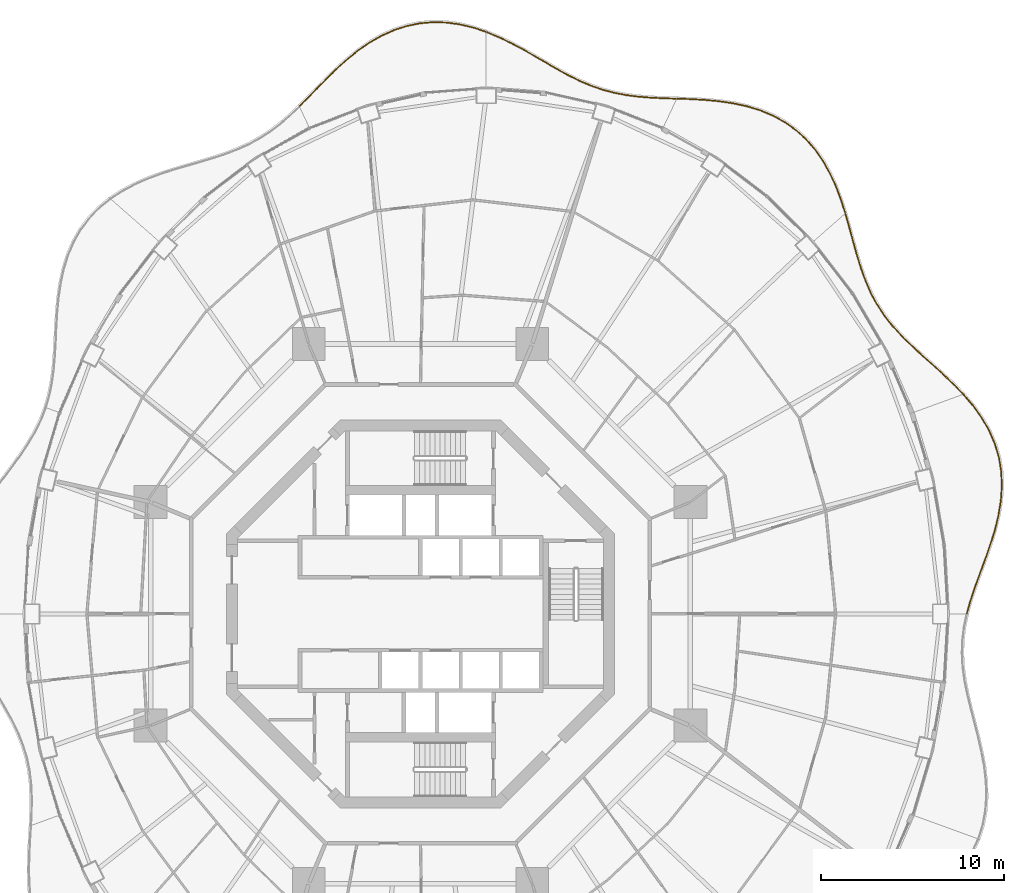
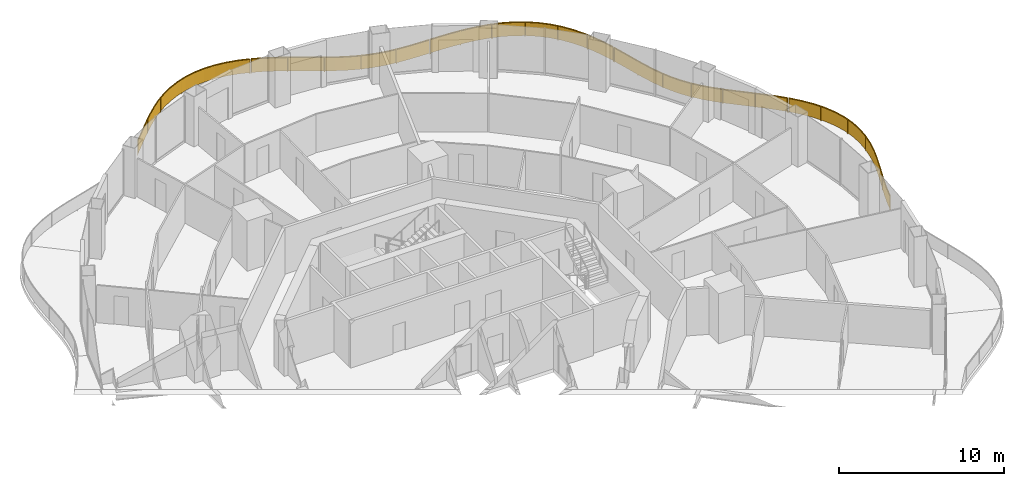
# One storey, part 19 of 19: 5 railings.
"""IFC4 building model written with IfcOpenShell, lengths in metres."""

from ifc_helpers import new_model, si_unit, direction, frame, origin, origin_2d, place, context, subcontext, project, spatial, polyline, rectangle, outline, extrude, material, type_object, element, save


model = new_model("IFC4")

# Units and contexts
model_context = context("Model", 3, precision=1e-05, world=origin(), true_north=direction((0.0, 1.0)))
body_context = subcontext(model_context, "Body", "Model", "MODEL_VIEW")
ifc_project = project(units=[si_unit("LENGTHUNIT", "METRE"), si_unit("AREAUNIT", "SQUARE_METRE"), si_unit("VOLUMEUNIT", "CUBIC_METRE"), si_unit("PLANEANGLEUNIT", "RADIAN"), si_unit("MASSUNIT", "GRAM", prefix="KILO")], contexts=[model_context])

# Site, building, storey
site_placement = place(None, origin())
site = spatial("IfcSite", under=ifc_project, at=site_placement, CompositionType="ELEMENT")
building_placement = place(site_placement, origin())
building = spatial("IfcBuilding", under=site, at=building_placement, Name="Nagisa Residences", CompositionType="ELEMENT")
storey_placement = place(building_placement, frame((0.0, 0.0, 169.60009765625)))
storey = spatial("IfcBuildingStorey", under=building, at=storey_placement, Name="L42", CompositionType="ELEMENT", Elevation=169.60009765625)

# Railings
ifc_material = material(Name="Stainless steel 316", Category="steel")
railing_type = type_object("IfcRailingType", Name="BALCONY GUARD 1100", PredefinedType="BALUSTRADE", material=ifc_material)
railing_1_placement = place(storey_placement, frame((29.93017578125, 0.0341796875, 0.0)))
element("IfcRailing", 1, at=railing_1_placement, inside=storey, type_object=railing_type, Name="guard:L42:bal00-0", PredefinedType="BALUSTRADE", context=body_context, shape_type="SweptSolid", body=[
    extrude(outline(polyline([(0.171142578125, 0.6982421875), (-0.024169921875, 0.0068359375), (0.024169921875, -0.0068359375), (0.218994140625, 0.68359375), (0.467041015625, 1.426025390625), (0.741943359375, 2.182861328125), (1.0263671875, 2.954833984375), (1.301513671875, 3.74169921875), (1.549560546875, 4.52685546875), (1.748046875, 5.334716796875), (1.882568359375, 6.14599609375), (1.9384765625, 6.95458984375), (1.90576171875, 7.75341796875), (1.781494140625, 8.52294921875), (1.557373046875, 9.283203125), (1.23974609375, 10.015869140625), (0.8359375, 10.716796875), (0.357421875, 11.384033203125), (-0.153564453125, 11.981689453125), (-0.191650390625, 11.948974609375), (0.31787109375, 11.353271484375), (0.7939453125, 10.689453125), (1.19482421875, 9.993408203125), (1.510009765625, 9.26611328125), (1.732666015625, 8.51171875), (1.85595703125, 7.74853515625), (1.88818359375, 6.955078125), (1.832763671875, 6.15185546875), (1.69921875, 5.344970703125), (1.501220703125, 4.54052734375), (1.254150390625, 3.75732421875), (0.9794921875, 2.971923828125), (0.695068359375, 2.199951171875), (0.419677734375, 1.442626953125), (0.171142578125, 0.6982421875)])), frame((0.0, 0.0, 1.050048828125)), (0.0, 0.0, 1.0), 0.050048828125),
    extrude(outline(polyline([(0.1884765625, 0.69287109375), (-0.0068359375, 0.001953125), (0.0068359375, -0.001953125), (0.20166015625, 0.68896484375), (0.449951171875, 1.43212890625), (0.72509765625, 2.18896484375), (1.009521484375, 2.9609375), (1.284423828125, 3.747314453125), (1.5322265625, 4.53173828125), (1.73046875, 5.33837890625), (1.86474609375, 6.148193359375), (1.92041015625, 6.954833984375), (1.887939453125, 7.751708984375), (1.763916015625, 8.518798828125), (1.540283203125, 9.277099609375), (1.2236328125, 10.0078125), (0.82080078125, 10.70703125), (0.34326171875, 11.373046875), (-0.167236328125, 11.969970703125), (-0.177978515625, 11.960693359375), (0.33203125, 11.3642578125), (0.80908203125, 10.69921875), (1.2109375, 10.00146484375), (1.527099609375, 9.272216796875), (1.750244140625, 8.515869140625), (1.873779296875, 7.750244140625), (1.90625, 6.954833984375), (1.8505859375, 6.149658203125), (1.716796875, 5.34130859375), (1.5185546875, 4.53564453125), (1.271240234375, 3.751708984375), (0.996337890625, 2.9658203125), (0.7119140625, 2.19384765625), (0.436767578125, 1.4365234375), (0.1884765625, 0.69287109375)])), frame((0.0, 0.0, 0.06005859375)), (0.0, 0.0, 1.0), 0.989990234375),
    extrude(rectangle(XDim=0.0400390625, YDim=0.0400390625, at=origin_2d()), origin(), (0.0, 0.0, 1.0), 1.050048828125),
    extrude(rectangle(XDim=0.0400390625, YDim=0.0400390625, at=origin_2d()), frame((0.65966796875, 2.02978515625, 0.0)), (0.0, 0.0, 1.0), 1.050048828125),
    extrude(rectangle(XDim=0.0400390625, YDim=0.0400390625, at=origin_2d()), frame((1.37060546875, 4.04296875, 0.0)), (0.0, 0.0, 1.0), 1.050048828125),
    extrude(rectangle(XDim=0.0400390625, YDim=0.0400390625, at=origin_2d()), frame((1.852783203125, 6.119873046875, 0.0)), (0.0, 0.0, 1.0), 1.050048828125),
    extrude(rectangle(XDim=0.0400390625, YDim=0.0400390625, at=origin_2d()), frame((1.801025390625, 8.24560546875, 0.0)), (0.0, 0.0, 1.0), 1.050048828125),
    extrude(rectangle(XDim=0.0400390625, YDim=0.0400390625, at=origin_2d()), frame((1.080078125, 10.242919921875, 0.0)), (0.0, 0.0, 1.0), 1.050048828125),
    extrude(rectangle(XDim=0.0400390625, YDim=0.0400390625, at=origin_2d()), frame((-0.172607421875, 11.96533203125, 0.0)), (0.0, 0.0, 1.0), 1.050048828125),
])
railing_2_placement = place(storey_placement, frame((29.704833984375, 12.05615234375, 0.0)))
element("IfcRailing", 2, at=railing_2_placement, inside=storey, type_object=railing_type, Name="guard:L42:bal01-0", PredefinedType="BALUSTRADE", context=body_context, shape_type="SweptSolid", body=[
    extrude(outline(polyline([(-0.55078125, 0.53173828125), (-0.01806640625, -0.017333984375), (0.01806640625, 0.017333984375), (-0.515625, 0.5673828125), (-1.104248046875, 1.126708984375), (-1.70068359375, 1.666748046875), (-2.288818359375, 2.194580078125), (-2.854248046875, 2.717529296875), (-3.378173828125, 3.231689453125), (-3.864501953125, 3.771240234375), (-4.301025390625, 4.331298828125), (-4.68505859375, 4.91796875), (-5.0185546875, 5.536865234375), (-5.298095703125, 6.177978515625), (-5.548828125, 6.867431640625), (-5.772705078125, 7.589599609375), (-5.982421875, 8.33984375), (-6.1923828125, 9.1103515625), (-6.401611328125, 9.848388671875), (-6.449951171875, 9.834716796875), (-6.24072265625, 9.09716796875), (-6.03076171875, 8.32666015625), (-5.820556640625, 7.575439453125), (-5.59619140625, 6.851318359375), (-5.344482421875, 6.159423828125), (-5.0634765625, 5.514892578125), (-4.72802734375, 4.892578125), (-4.341552734375, 4.302001953125), (-3.903076171875, 3.739013671875), (-3.414306640625, 3.197021484375), (-2.888916015625, 2.681396484375), (-2.322509765625, 2.157470703125), (-1.734375, 1.629638671875), (-1.138427734375, 1.090087890625), (-0.55078125, 0.53173828125)])), frame((0.0, 0.0, 1.050048828125)), (0.0, 0.0, 1.0), 0.050048828125),
    extrude(outline(polyline([(-0.5380859375, 0.544677734375), (-0.005126953125, -0.0048828125), (0.005126953125, 0.0048828125), (-0.5283203125, 0.554443359375), (-1.11669921875, 1.113525390625), (-1.712890625, 1.6533203125), (-2.301025390625, 2.18115234375), (-2.86669921875, 2.70458984375), (-3.39111328125, 3.21923828125), (-3.87841796875, 3.759521484375), (-4.315673828125, 4.32080078125), (-4.700439453125, 4.908935546875), (-5.03466796875, 5.529052734375), (-5.314697265625, 6.17138671875), (-5.56591796875, 6.861572265625), (-5.789794921875, 7.58447265625), (-5.999755859375, 8.335205078125), (-6.209716796875, 9.105712890625), (-6.4189453125, 9.843505859375), (-6.4326171875, 9.839599609375), (-6.223388671875, 9.101806640625), (-6.013427734375, 8.331298828125), (-5.803466796875, 7.58056640625), (-5.5791015625, 6.857177734375), (-5.327880859375, 6.166015625), (-5.04736328125, 5.522705078125), (-4.712646484375, 4.901611328125), (-4.326904296875, 4.3125), (-3.88916015625, 3.750732421875), (-3.4013671875, 3.20947265625), (-2.87646484375, 2.6943359375), (-2.310302734375, 2.1708984375), (-1.72216796875, 1.64306640625), (-1.1259765625, 1.103271484375), (-0.5380859375, 0.544677734375)])), frame((0.0, 0.0, 0.06005859375)), (0.0, 0.0, 1.0), 0.989990234375),
    extrude(rectangle(XDim=0.0400390625, YDim=0.0400390625, at=origin_2d()), origin(), (0.0, 0.0, 1.0), 1.050048828125),
    extrude(rectangle(XDim=0.0400390625, YDim=0.0400390625, at=origin_2d()), frame((-1.44287109375, 1.3994140625, 0.0)), (0.0, 0.0, 1.0), 1.050048828125),
    extrude(rectangle(XDim=0.0400390625, YDim=0.0400390625, at=origin_2d()), frame((-2.927978515625, 2.7548828125, 0.0)), (0.0, 0.0, 1.0), 1.050048828125),
    extrude(rectangle(XDim=0.0400390625, YDim=0.0400390625, at=origin_2d()), frame((-4.268798828125, 4.249267578125, 0.0)), (0.0, 0.0, 1.0), 1.050048828125),
    extrude(rectangle(XDim=0.0400390625, YDim=0.0400390625, at=origin_2d()), frame((-5.24755859375, 5.999755859375, 0.0)), (0.0, 0.0, 1.0), 1.050048828125),
    extrude(rectangle(XDim=0.0400390625, YDim=0.0400390625, at=origin_2d()), frame((-5.88671875, 7.904541015625, 0.0)), (0.0, 0.0, 1.0), 1.050048828125),
    extrude(rectangle(XDim=0.0400390625, YDim=0.0400390625, at=origin_2d()), frame((-6.42578125, 9.841552734375, 0.0)), (0.0, 0.0, 1.0), 1.050048828125),
])
railing_3_placement = place(storey_placement, frame((23.258056640625, 21.971435546875, 0.0)))
element("IfcRailing", 3, at=railing_3_placement, inside=storey, type_object=railing_type, Name="guard:L42:bal02-0", PredefinedType="BALUSTRADE", context=body_context, shape_type="SweptSolid", body=[
    extrude(outline(polyline([(-0.24658203125, 0.6923828125), (-0.02392578125, -0.007568359375), (0.02392578125, 0.007568359375), (-0.19921875, 0.708984375), (-0.475341796875, 1.440673828125), (-0.79736328125, 2.14892578125), (-1.1728515625, 2.822265625), (-1.60595703125, 3.449462890625), (-2.087158203125, 4.0107421875), (-2.640380859375, 4.51953125), (-3.25, 4.9599609375), (-3.910888671875, 5.328857421875), (-4.61572265625, 5.626953125), (-5.34326171875, 5.849365234375), (-6.1064453125, 6.017578125), (-6.886962890625, 6.13330078125), (-7.672607421875, 6.20703125), (-8.454833984375, 6.251220703125), (-9.180908203125, 6.274658203125), (-9.182373046875, 6.224853515625), (-8.457275390625, 6.201416015625), (-7.676513671875, 6.1572265625), (-6.892822265625, 6.08349609375), (-6.11572265625, 5.96826171875), (-5.35595703125, 5.801025390625), (-4.6328125, 5.580078125), (-3.932861328125, 5.283935546875), (-3.27685546875, 4.91748046875), (-2.672119140625, 4.48046875), (-2.123291015625, 3.97607421875), (-1.6455078125, 3.418701171875), (-1.21533203125, 2.7958984375), (-0.84228515625, 2.12646484375), (-0.521728515625, 1.421630859375), (-0.24658203125, 0.6923828125)])), frame((0.0, 0.0, 1.050048828125)), (0.0, 0.0, 1.0), 0.050048828125),
    extrude(outline(polyline([(-0.2294921875, 0.698486328125), (-0.006591796875, -0.002197265625), (0.006591796875, 0.002197265625), (-0.21630859375, 0.702880859375), (-0.4921875, 1.433837890625), (-0.8134765625, 2.140869140625), (-1.188232421875, 2.812744140625), (-1.6201171875, 3.4384765625), (-2.10009765625, 3.998291015625), (-2.65185546875, 4.50537109375), (-3.259765625, 4.944580078125), (-3.918701171875, 5.312744140625), (-4.621826171875, 5.610107421875), (-5.347900390625, 5.83203125), (-6.10986328125, 5.999755859375), (-6.88916015625, 6.115234375), (-7.674072265625, 6.189208984375), (-8.455810546875, 6.2333984375), (-9.181396484375, 6.2568359375), (-9.181884765625, 6.24267578125), (-8.456298828125, 6.21923828125), (-7.675048828125, 6.175048828125), (-6.890625, 6.1015625), (-6.1123046875, 5.986083984375), (-5.351318359375, 5.818359375), (-4.626708984375, 5.596923828125), (-3.925048828125, 5.300048828125), (-3.26708984375, 4.932861328125), (-2.66064453125, 4.49462890625), (-2.1103515625, 3.988525390625), (-1.63134765625, 3.4296875), (-1.199951171875, 2.805419921875), (-0.826171875, 2.134521484375), (-0.5048828125, 1.428466796875), (-0.2294921875, 0.698486328125)])), frame((0.0, 0.0, 0.06005859375)), (0.0, 0.0, 1.0), 0.989990234375),
    extrude(rectangle(XDim=0.0400390625, YDim=0.0400390625, at=origin_2d()), origin(), (0.0, 0.0, 1.0), 1.050048828125),
    extrude(rectangle(XDim=0.0400390625, YDim=0.0400390625, at=origin_2d()), frame((-0.712158203125, 1.901123046875, 0.0)), (0.0, 0.0, 1.0), 1.050048828125),
    extrude(rectangle(XDim=0.0400390625, YDim=0.0400390625, at=origin_2d()), frame((-1.78466796875, 3.619384765625, 0.0)), (0.0, 0.0, 1.0), 1.050048828125),
    extrude(rectangle(XDim=0.0400390625, YDim=0.0400390625, at=origin_2d()), frame((-3.30029296875, 4.959228515625, 0.0)), (0.0, 0.0, 1.0), 1.050048828125),
    extrude(rectangle(XDim=0.0400390625, YDim=0.0400390625, at=origin_2d()), frame((-5.15771484375, 5.7666015625, 0.0)), (0.0, 0.0, 1.0), 1.050048828125),
    extrude(rectangle(XDim=0.0400390625, YDim=0.0400390625, at=origin_2d()), frame((-7.1533203125, 6.133056640625, 0.0)), (0.0, 0.0, 1.0), 1.050048828125),
    extrude(rectangle(XDim=0.0400390625, YDim=0.0400390625, at=origin_2d()), frame((-9.181640625, 6.249755859375, 0.0)), (0.0, 0.0, 1.0), 1.050048828125),
])
railing_4_placement = place(storey_placement, frame((14.0009765625, 28.221923828125, 0.0)))
element("IfcRailing", 4, at=railing_4_placement, inside=storey, type_object=railing_type, Name="guard:L42:bal03-0", PredefinedType="BALUSTRADE", context=body_context, shape_type="SweptSolid", body=[
    extrude(outline(polyline([(-0.6826171875, -0.00390625), (-0.000732421875, -0.02490234375), (0.000732421875, 0.02490234375), (-0.6806640625, 0.0458984375), (-1.387939453125, 0.080078125), (-2.073974609375, 0.135498046875), (-2.738525390625, 0.220947265625), (-3.3828125, 0.34423828125), (-3.994140625, 0.505126953125), (-4.610107421875, 0.716064453125), (-5.218994140625, 0.97119140625), (-5.826416015625, 1.267578125), (-6.4384765625, 1.59814453125), (-7.04248046875, 1.95166015625), (-7.677978515625, 2.322265625), (-8.330322265625, 2.694091796875), (-9.001953125, 3.0537109375), (-9.6923828125, 3.386962890625), (-10.35595703125, 3.66357421875), (-10.375, 3.6171875), (-9.712890625, 3.341064453125), (-9.0244140625, 3.00927734375), (-8.354736328125, 2.650146484375), (-7.702880859375, 2.27880859375), (-7.06787109375, 1.908203125), (-6.462890625, 1.5546875), (-5.849365234375, 1.22314453125), (-5.239501953125, 0.92578125), (-4.627685546875, 0.669189453125), (-4.0087890625, 0.457275390625), (-3.39404296875, 0.29541015625), (-2.746337890625, 0.171630859375), (-2.079345703125, 0.085693359375), (-1.391357421875, 0.0302734375), (-0.6826171875, -0.00390625)])), frame((0.0, 0.0, 1.050048828125)), (0.0, 0.0, 1.0), 0.050048828125),
    extrude(outline(polyline([(-0.681884765625, 0.013916015625), (-0.000244140625, -0.007080078125), (0.000244140625, 0.007080078125), (-0.681396484375, 0.028076171875), (-1.38916015625, 0.062255859375), (-2.075927734375, 0.11767578125), (-2.7412109375, 0.203125), (-3.386962890625, 0.32666015625), (-3.99951171875, 0.48779296875), (-4.616455078125, 0.69921875), (-5.226318359375, 0.954833984375), (-5.834716796875, 1.251708984375), (-6.447265625, 1.58251953125), (-7.0517578125, 1.93603515625), (-7.68701171875, 2.306640625), (-8.339111328125, 2.67822265625), (-9.010009765625, 3.037841796875), (-9.69970703125, 3.370361328125), (-10.36279296875, 3.646728515625), (-10.3681640625, 3.634033203125), (-9.70556640625, 3.357666015625), (-9.016357421875, 3.025146484375), (-8.345947265625, 2.666015625), (-7.69384765625, 2.29443359375), (-7.05859375, 1.923828125), (-6.4541015625, 1.5703125), (-5.841064453125, 1.239013671875), (-5.232177734375, 0.942138671875), (-4.621337890625, 0.68603515625), (-4.00341796875, 0.474609375), (-3.389892578125, 0.31298828125), (-2.74365234375, 0.189453125), (-2.077392578125, 0.103515625), (-1.39013671875, 0.048095703125), (-0.681884765625, 0.013916015625)])), frame((0.0, 0.0, 0.06005859375)), (0.0, 0.0, 1.0), 0.989990234375),
    extrude(rectangle(XDim=0.0400390625, YDim=0.0400390625, at=origin_2d()), origin(), (0.0, 0.0, 1.0), 1.050048828125),
    extrude(rectangle(XDim=0.0400390625, YDim=0.0400390625, at=origin_2d()), frame((-2.227783203125, 0.130126953125, 0.0)), (0.0, 0.0, 1.0), 1.050048828125),
    extrude(rectangle(XDim=0.0400390625, YDim=0.0400390625, at=origin_2d()), frame((-4.400390625, 0.617919921875, 0.0)), (0.0, 0.0, 1.0), 1.050048828125),
    extrude(rectangle(XDim=0.0400390625, YDim=0.0400390625, at=origin_2d()), frame((-6.4208984375, 1.560302734375, 0.0)), (0.0, 0.0, 1.0), 1.050048828125),
    extrude(rectangle(XDim=0.0400390625, YDim=0.0400390625, at=origin_2d()), frame((-8.353271484375, 2.677734375, 0.0)), (0.0, 0.0, 1.0), 1.050048828125),
    extrude(rectangle(XDim=0.0400390625, YDim=0.0400390625, at=origin_2d()), frame((-10.365478515625, 3.640380859375, 0.0)), (0.0, 0.0, 1.0), 1.050048828125),
])
railing_5_placement = place(storey_placement, frame((3.5634765625, 31.89013671875, 0.0)))
element("IfcRailing", 5, at=railing_5_placement, inside=storey, type_object=railing_type, Name="guard:L42:bal04-0", PredefinedType="BALUSTRADE", context=body_context, shape_type="SweptSolid", body=[
    extrude(outline(polyline([(-0.68359375, 0.2021484375), (-0.008056640625, -0.023681640625), (0.008056640625, 0.023681640625), (-0.669921875, 0.25048828125), (-1.405029296875, 0.425048828125), (-2.146484375, 0.525634765625), (-2.8876953125, 0.5458984375), (-3.62109375, 0.482421875), (-4.328369140625, 0.336181640625), (-5.033203125, 0.10595703125), (-5.715087890625, -0.20068359375), (-6.3701171875, -0.575439453125), (-6.99658203125, -1.0078125), (-7.576904296875, -1.48046875), (-8.14599609375, -1.990234375), (-8.6904296875, -2.518310546875), (-9.214599609375, -3.05126953125), (-9.723876953125, -3.57666015625), (-10.192626953125, -4.052490234375), (-10.156982421875, -4.087646484375), (-9.688232421875, -3.61181640625), (-9.178955078125, -3.08642578125), (-8.6552734375, -2.553955078125), (-8.11181640625, -2.02685546875), (-7.544189453125, -1.5185546875), (-6.96630859375, -1.0478515625), (-6.34326171875, -0.617919921875), (-5.692138671875, -0.2451171875), (-5.01513671875, 0.05908203125), (-4.315673828125, 0.287841796875), (-3.61376953125, 0.4326171875), (-2.88623046875, 0.49560546875), (-2.150390625, 0.475830078125), (-1.414306640625, 0.375732421875), (-0.68359375, 0.2021484375)])), frame((0.0, 0.0, 1.050048828125)), (0.0, 0.0, 1.0), 0.050048828125),
    extrude(outline(polyline([(-0.6787109375, 0.219482421875), (-0.002197265625, -0.006591796875), (0.002197265625, 0.006591796875), (-0.6748046875, 0.233154296875), (-1.408447265625, 0.4072265625), (-2.14794921875, 0.5078125), (-2.88720703125, 0.52783203125), (-3.618408203125, 0.46435546875), (-4.32373046875, 0.31884765625), (-5.026611328125, 0.089111328125), (-5.706787109375, -0.216552734375), (-6.3603515625, -0.5908203125), (-6.985595703125, -1.022216796875), (-7.565185546875, -1.494140625), (-8.1337890625, -2.00341796875), (-8.677734375, -2.53125), (-9.201904296875, -3.06396484375), (-9.711181640625, -3.58935546875), (-10.1796875, -4.065185546875), (-10.169921875, -4.074951171875), (-9.700927734375, -3.59912109375), (-9.191650390625, -3.07373046875), (-8.66796875, -2.541015625), (-8.1240234375, -2.013671875), (-7.555908203125, -1.5048828125), (-6.977294921875, -1.033447265625), (-6.35302734375, -0.6025390625), (-5.700439453125, -0.229248046875), (-5.021728515625, 0.075927734375), (-4.3203125, 0.30517578125), (-3.616455078125, 0.45068359375), (-2.88671875, 0.513671875), (-2.14892578125, 0.49365234375), (-1.410888671875, 0.3935546875), (-0.6787109375, 0.219482421875)])), frame((0.0, 0.0, 0.06005859375)), (0.0, 0.0, 1.0), 0.989990234375),
    extrude(rectangle(XDim=0.0400390625, YDim=0.0400390625, at=origin_2d()), origin(), (0.0, 0.0, 1.0), 1.050048828125),
    extrude(rectangle(XDim=0.0400390625, YDim=0.0400390625, at=origin_2d()), frame((-2.298583984375, 0.5048828125, 0.0)), (0.0, 0.0, 1.0), 1.050048828125),
    extrude(rectangle(XDim=0.0400390625, YDim=0.0400390625, at=origin_2d()), frame((-4.627685546875, 0.212158203125, 0.0)), (0.0, 0.0, 1.0), 1.050048828125),
    extrude(rectangle(XDim=0.0400390625, YDim=0.0400390625, at=origin_2d()), frame((-6.7255859375, -0.851318359375, 0.0)), (0.0, 0.0, 1.0), 1.050048828125),
    extrude(rectangle(XDim=0.0400390625, YDim=0.0400390625, at=origin_2d()), frame((-8.517822265625, -2.3857421875, 0.0)), (0.0, 0.0, 1.0), 1.050048828125),
    extrude(rectangle(XDim=0.0400390625, YDim=0.0400390625, at=origin_2d()), frame((-10.1748046875, -4.070068359375, 0.0)), (0.0, 0.0, 1.0), 1.050048828125),
])

save(model, "model.ifc")
